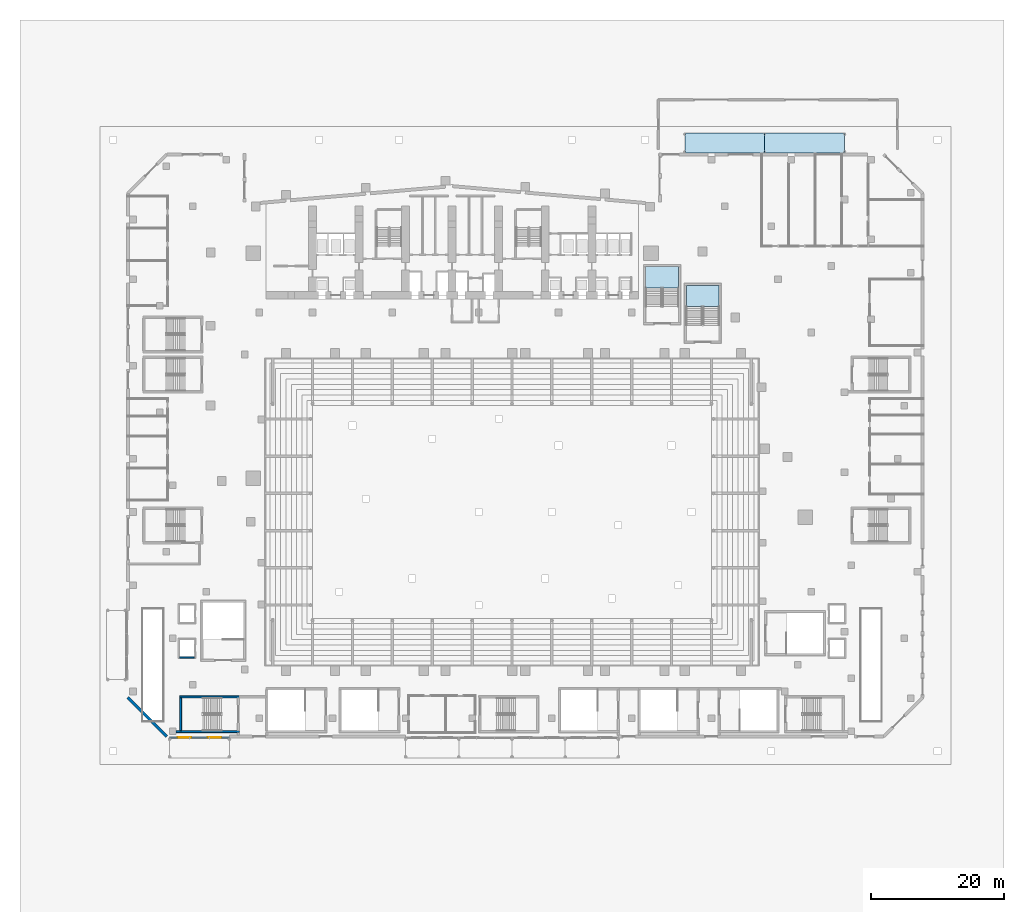
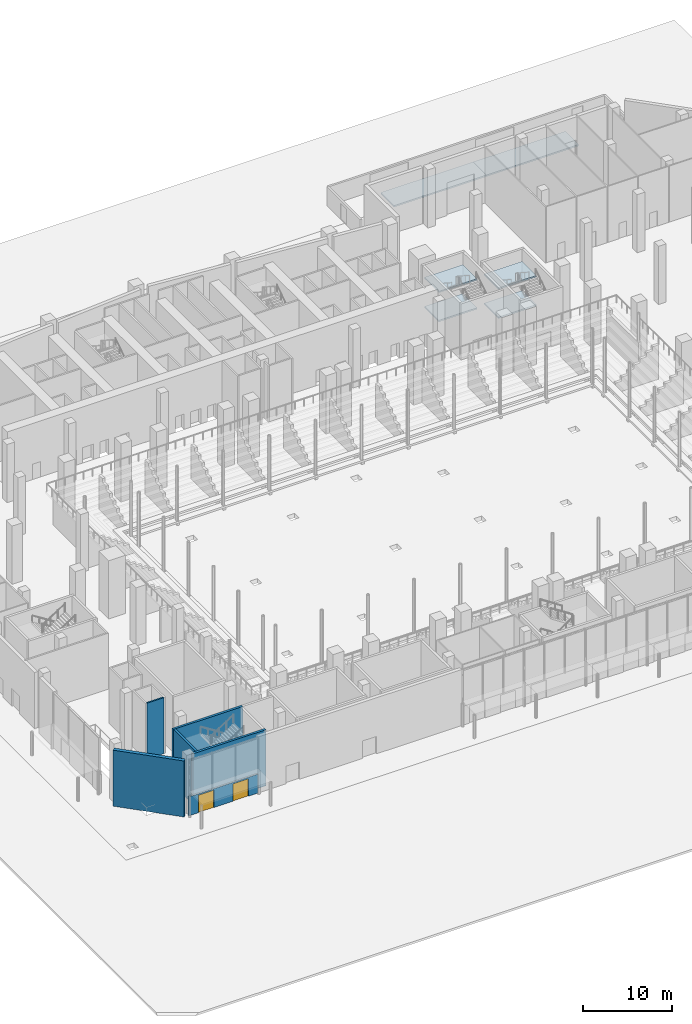
# One storey, part 19 of 41: 6 slabs, 6 walls, 2 doors, 2 openings, 2 elements without a shape of their own.
"""IFC4 building model written with IfcOpenShell, lengths in metres."""

import ifcopenshell
import ifcopenshell.guid

model = None  # the IFC model being written
_history = None  # IfcOwnerHistory: only IFC2X3 demands one
_inside = {}  # id of a spatial element -> (the spatial element, [elements in it])
_under = {}  # id of a project, library or spatial element -> (it, [spatial elements below it])
_declared = {}  # id of a project -> (the project, [libraries it declares])
_typed = {}  # id of a type object -> (the type object, [elements of that type])
_made_of = {}  # id of a material, layer set ... -> (it, [elements and type objects made of it])


def new_model(schema):
    """Start an empty IFC model of exactly this schema.

    Asked for "IFC4X3", IfcOpenShell would pick the latest addendum, in which some entities
    have other attributes; the version numbers below select the first issue.
    IFC2X3 requires an IfcOwnerHistory on every rooted entity: one is made here for all.
    """
    global model, _history
    if schema == "IFC4X3":
        model = ifcopenshell.file(schema_version=(4, 3, 0, 0))
    else:
        model = ifcopenshell.file(schema=schema)
    _inside.clear()
    _under.clear()
    _declared.clear()
    _typed.clear()
    _made_of.clear()
    _history = None
    if model.schema == "IFC2X3":
        org = make("IfcOrganization", Name="unknown")
        user = make(
            "IfcPersonAndOrganization",
            ThePerson=make("IfcPerson", FamilyName="unknown"),
            TheOrganization=org,
        )
        app = make(
            "IfcApplication",
            ApplicationDeveloper=org,
            Version="unknown",
            ApplicationFullName="unknown",
            ApplicationIdentifier="unknown",
        )
        _history = make(
            "IfcOwnerHistory",
            OwningUser=user,
            OwningApplication=app,
            ChangeAction="ADDED",
            CreationDate=0,
        )
    return model


def make(cls, **values):
    """One entity of the class cls with the attributes given. An attribute that is None is left unset."""
    return model.create_entity(
        cls, **{name: value for name, value in values.items() if value is not None}
    )


def rooted(cls, **values):
    """An entity with a GlobalId (a new one), such as an element, a storey or a relation."""
    return make(cls, GlobalId=ifcopenshell.guid.new(), OwnerHistory=_history, **values)


def si_unit(unit_type, name, prefix=None):
    """IfcSIUnit, for example si_unit("LENGTHUNIT", "METRE", prefix="MILLI")."""
    return make("IfcSIUnit", UnitType=unit_type, Prefix=prefix, Name=name)


def assignment(units):
    """IfcUnitAssignment: the units of a project."""
    return None if units is None else make("IfcUnitAssignment", Units=units)


def point(xyz):
    """IfcCartesianPoint."""
    return None if xyz is None else make("IfcCartesianPoint", Coordinates=xyz)


def direction(xyz):
    """IfcDirection."""
    return None if xyz is None else make("IfcDirection", DirectionRatios=xyz)


def frame(location, z_axis=None, x_axis=None):
    """IfcAxis2Placement3D, a coordinate frame: its origin and axes. An axis left out is left unset."""
    return make(
        "IfcAxis2Placement3D",
        Location=point(location),
        Axis=direction(z_axis),
        RefDirection=direction(x_axis),
    )


def frame_2d(location, x_axis=None):
    """IfcAxis2Placement2D, a coordinate frame in the plane: its origin and x axis."""
    return make(
        "IfcAxis2Placement2D", Location=point(location), RefDirection=direction(x_axis)
    )


def origin():
    """The frame at (0, 0, 0) with its axes left unset."""
    return frame((0.0, 0.0, 0.0))


def place(relative_to, where):
    """IfcLocalPlacement: puts the frame where relative to a parent placement (None: the world)."""
    return make(
        "IfcLocalPlacement", PlacementRelTo=relative_to, RelativePlacement=where
    )


def context(
    kind, dimensions, precision=None, world=None, true_north=None, identifier=None
):
    """IfcGeometricRepresentationContext, for example the 3D "Model" context."""
    return make(
        "IfcGeometricRepresentationContext",
        ContextIdentifier=identifier,
        ContextType=kind,
        CoordinateSpaceDimension=dimensions,
        Precision=precision,
        WorldCoordinateSystem=world,
        TrueNorth=true_north,
    )


def subcontext(parent, identifier, kind, view, scale=None):
    """IfcGeometricRepresentationSubContext, for example "Body" below "Model"."""
    return make(
        "IfcGeometricRepresentationSubContext",
        ContextIdentifier=identifier,
        ContextType=kind,
        ParentContext=parent,
        TargetScale=scale,
        TargetView=view,
    )


def project(units=None, contexts=None):
    """IfcProject with its units and contexts."""
    return rooted(
        "IfcProject",
        Name="project",
        RepresentationContexts=contexts,
        UnitsInContext=assignment(units),
    )


def spatial(cls, under=None, at=None, **own):
    """A site, building, storey or space (cls), placed at a placement, below another one or the project."""
    s = rooted(cls, ObjectPlacement=at, **own)
    if under is not None:
        _under.setdefault(under.id(), (under, []))[1].append(s)
    return s


def polyline(points):
    """IfcPolyline through the points."""
    return make("IfcPolyline", Points=[point(p) for p in points])


def profile(cls, at=None, kind="AREA", **sizes):
    """A parametric profile (cls). Its sizes go by their IFC names, for example OverallWidth=200.0."""
    return make(cls, ProfileType=kind, Position=at, **sizes)


def rectangle(**sizes):
    """IfcRectangleProfileDef."""
    return profile("IfcRectangleProfileDef", **sizes)


def outline(outer, holes=None, kind="AREA"):
    """IfcArbitraryClosedProfileDef: a profile drawn as a closed curve; with holes, ...WithVoids."""
    if holes is None:
        return make("IfcArbitraryClosedProfileDef", ProfileType=kind, OuterCurve=outer)
    return make(
        "IfcArbitraryProfileDefWithVoids",
        ProfileType=kind,
        OuterCurve=outer,
        InnerCurves=holes,
    )


def extrude(swept, where, along, depth):
    """IfcExtrudedAreaSolid: the profile swept, set in the frame where, extruded along a direction by depth."""
    return make(
        "IfcExtrudedAreaSolid",
        SweptArea=swept,
        Position=where,
        ExtrudedDirection=direction(along),
        Depth=depth,
    )


def shape(context_of_items, identifier, shape_type, items):
    """IfcShapeRepresentation: the items that make up one representation, for example the "Body"."""
    return make(
        "IfcShapeRepresentation",
        ContextOfItems=context_of_items,
        RepresentationIdentifier=identifier,
        RepresentationType=shape_type,
        Items=items,
    )


def material(Name=None, Category=None):
    """IfcMaterial."""
    return make("IfcMaterial", Name=Name, Category=Category)


def layer(
    of_material, thickness, ventilated=None, Name=None, Category=None, Priority=None
):
    """IfcMaterialLayer: one layer of a wall or slab, of a material (None: an air gap)."""
    return make(
        "IfcMaterialLayer",
        Material=of_material,
        LayerThickness=thickness,
        IsVentilated=ventilated,
        Name=Name,
        Category=Category,
        Priority=Priority,
    )


def layer_set(layers, Name=None):
    """IfcMaterialLayerSet."""
    return make("IfcMaterialLayerSet", MaterialLayers=layers, LayerSetName=Name)


def made_of(thing, what):
    """Note that an element or type object is made of a material, layer set ...; save() writes the relation."""
    if what is not None:
        _made_of.setdefault(what.id(), (what, []))[1].append(thing)
    return thing


def type_object(cls, material=None, **own):
    """A type object (cls), such as IfcWallType, which elements share."""
    return made_of(rooted(cls, **own), material)


def element(
    cls,
    number,
    at=None,
    inside=None,
    cuts=None,
    type_object=None,
    material=None,
    context=None,
    identifier="Body",
    shape_type=None,
    held_by="IfcProductDefinitionShape",
    body=None,
    shapes=None,
    **own,
):
    """One element of the class cls, such as IfcWall. Its Tag is "e" and its number.

    at: its placement. inside: the storey or other place that contains it. cuts: it is an
    opening in that element (IfcRelVoidsElement). A single representation is given by context,
    identifier, shape_type and body (its items); several are given by shapes. held_by: the class
    of the entity that holds the representations. save() writes the other relations.
    """
    e = rooted(cls, Tag="e%d" % number, ObjectPlacement=at, **own)
    if body is not None:
        shapes = [shape(context, identifier, shape_type, body)]
    if shapes is not None:
        e.Representation = make(held_by, Representations=shapes)
    if inside is not None:
        _inside.setdefault(inside.id(), (inside, []))[1].append(e)
    if cuts is not None:
        rooted(
            "IfcRelVoidsElement", RelatingBuildingElement=cuts, RelatedOpeningElement=e
        )
    if type_object is not None:
        _typed.setdefault(type_object.id(), (type_object, []))[1].append(e)
    return made_of(e, material)


def fill(opening, filler):
    """IfcRelFillsElement: the door or window that sits in an opening."""
    return rooted(
        "IfcRelFillsElement",
        RelatingOpeningElement=opening,
        RelatedBuildingElement=filler,
    )


def aggregate(whole, parts):
    """IfcRelAggregates: a whole, such as a stair, and the parts it consists of."""
    return rooted("IfcRelAggregates", RelatingObject=whole, RelatedObjects=parts)


def save(model, path):
    """Write the relations noted so far, then the file.

    IfcRelAggregates (storeys below a building ...), IfcRelContainedInSpatialStructure (elements
    in a storey), IfcRelDefinesByType, IfcRelAssociatesMaterial and IfcRelDeclares: one each for
    every whole, place, type object, material and project.
    """
    for whole, parts in _under.values():
        aggregate(whole, parts)
    for where, things in _inside.values():
        rooted(
            "IfcRelContainedInSpatialStructure",
            RelatedElements=things,
            RelatingStructure=where,
        )
    for kind, things in _typed.values():
        rooted("IfcRelDefinesByType", RelatedObjects=things, RelatingType=kind)
    for what, things in _made_of.values():
        rooted("IfcRelAssociatesMaterial", RelatedObjects=things, RelatingMaterial=what)
    for by, libraries in _declared.values():
        rooted("IfcRelDeclares", RelatingContext=by, RelatedDefinitions=libraries)
    model.write(path)


model = new_model("IFC4")

# Units and contexts
model_context = context("Model", 3, precision=1e-05, world=origin(), true_north=direction((0.0, 1.0)))
body_context = subcontext(model_context, "Body", "Model", "MODEL_VIEW")
ifc_project = project(units=[si_unit("LENGTHUNIT", "METRE"), si_unit("AREAUNIT", "SQUARE_METRE"), si_unit("VOLUMEUNIT", "CUBIC_METRE"), si_unit("PLANEANGLEUNIT", "RADIAN"), si_unit("MASSUNIT", "GRAM", prefix="KILO")], contexts=[model_context])

# Site, building, storey
site_placement = place(None, origin())
site = spatial("IfcSite", under=ifc_project, at=site_placement, CompositionType="ELEMENT")
building_placement = place(site_placement, origin())
building = spatial("IfcBuilding", under=site, at=building_placement, Name="Wharfspan Tower", CompositionType="ELEMENT")
storey_placement = place(building_placement, origin())
storey = spatial("IfcBuildingStorey", under=building, at=storey_placement, Name="L00", CompositionType="ELEMENT", Elevation=0.0)

# Slabs
ifc_material_1 = material(Name="Concrete C40/50", Category="concrete")
ifc_layer_1 = layer(ifc_material_1, 0.199951)
ifc_layer_set_1 = layer_set([ifc_layer_1], Name="Concrete C40/50")
slab_type_1 = type_object("IfcSlabType", Name="ENTRANCE CANOPY 200", PredefinedType="ROOF", material=ifc_layer_set_1)
slab_1_placement = place(storey_placement, frame((0.0, 0.0, 3.199707)))
element("IfcSlab", 1, at=slab_1_placement, inside=storey, type_object=slab_type_1, Name="Entrance canopy", PredefinedType="ROOF", context=body_context, shape_type="SweptSolid", body=[
    extrude(outline(polyline([(84.0, 56.0), (72.0, 56.0), (72.0, 59.0), (84.0, 59.0), (84.0, 56.0)])), origin(), (0.0, 0.0, 1.0), 0.200195),
])
slab_2_placement = place(storey_placement, frame((0.0, 0.0, 3.199707)))
element("IfcSlab", 2, at=slab_2_placement, inside=storey, type_object=slab_type_1, Name="Entrance canopy", PredefinedType="ROOF", context=body_context, shape_type="SweptSolid", body=[
    extrude(outline(polyline([(96.0, 56.0), (84.0, 56.0), (84.0, 59.0), (96.0, 59.0), (96.0, 56.0)])), origin(), (0.0, 0.0, 1.0), 0.200195),
])

# Stair, slabs
stair_type = type_object("IfcStairType", Name="Half-turn stair 2400 wide 44 risers 182 mm", PredefinedType="HALF_TURN_STAIR", material=ifc_material_1)
stair_1_placement = place(storey_placement, origin())
stair_1 = element("IfcStair", 3, at=stair_1_placement, inside=storey, type_object=stair_type, Name="L00 stair PS4", PredefinedType="HALF_TURN_STAIR")
ifc_layer_2 = layer(ifc_material_1, 0.199951)
ifc_layer_set_2 = layer_set([ifc_layer_2], Name="Concrete C40/50")
slab_type_2 = type_object("IfcSlabType", Name="Podium stair landing 200", PredefinedType="LANDING", material=ifc_layer_set_2)
slab_3_placement = place(storey_placement, frame((0.0, 0.0, 1.799805)))
slab_3 = element("IfcSlab", 4, at=slab_3_placement, type_object=slab_type_2, Name="PS4 landing 1", PredefinedType="LANDING", context=body_context, shape_type="SweptSolid", body=[
    extrude(outline(polyline([(71.050049, 35.699951), (71.050049, 38.899902), (66.100098, 38.899902), (66.100098, 35.699951), (71.050049, 35.699951)])), origin(), (0.0, 0.0, 1.0), 0.200195),
])
slab_4_placement = place(storey_placement, frame((0.0, 0.0, 5.799805)))
slab_4 = element("IfcSlab", 5, at=slab_4_placement, type_object=slab_type_2, Name="PS4 landing 3", PredefinedType="LANDING", context=body_context, shape_type="SweptSolid", body=[
    extrude(outline(polyline([(71.050049, 35.699951), (71.050049, 38.899902), (66.100098, 38.899902), (66.100098, 35.699951), (71.050049, 35.699951)])), origin(), (0.0, 0.0, 1.0), 0.200195),
])
aggregate(stair_1, [slab_3, slab_4])

stair_2_placement = place(storey_placement, origin())
stair_2 = element("IfcStair", 6, at=stair_2_placement, inside=storey, type_object=stair_type, Name="L00 stair PS5", PredefinedType="HALF_TURN_STAIR")
slab_5_placement = place(storey_placement, frame((0.0, 0.0, 1.799805)))
slab_5 = element("IfcSlab", 7, at=slab_5_placement, type_object=slab_type_2, Name="PS5 landing 1", PredefinedType="LANDING", context=body_context, shape_type="SweptSolid", body=[
    extrude(outline(polyline([(77.16748, 32.899902), (77.16748, 36.100098), (72.217529, 36.100098), (72.217529, 32.899902), (77.16748, 32.899902)])), origin(), (0.0, 0.0, 1.0), 0.200195),
])
slab_6_placement = place(storey_placement, frame((0.0, 0.0, 5.799805)))
slab_6 = element("IfcSlab", 8, at=slab_6_placement, type_object=slab_type_2, Name="PS5 landing 3", PredefinedType="LANDING", context=body_context, shape_type="SweptSolid", body=[
    extrude(outline(polyline([(77.16748, 32.899902), (77.16748, 36.100098), (72.217529, 36.100098), (72.217529, 32.899902), (77.16748, 32.899902)])), origin(), (0.0, 0.0, 1.0), 0.200195),
])
aggregate(stair_2, [slab_5, slab_6])

# Wall, openings, doors
ifc_material_2 = material(Name="Glass fibre reinforced concrete C40/50", Category="concrete")
ifc_layer_3 = layer(ifc_material_2, 0.199951)
ifc_layer_set_3 = layer_set([ifc_layer_3], Name="Glass fibre reinforced concrete C40/50")
wall_type_1 = type_object("IfcWallType", Name="ENTRANCE INFILL WALL 200", PredefinedType="SOLIDWALL", material=ifc_layer_set_3)
wall_1_placement = place(storey_placement, frame((-5.5, -31.899902, 0.0), z_axis=(0.0, 0.0, 1.0), x_axis=(1.0, 0.0, 0.0)))
wall_1 = element("IfcWall", 9, at=wall_1_placement, inside=storey, type_object=wall_type_1, Name="Entrance infill wall", PredefinedType="SOLIDWALL", context=body_context, shape_type="SweptSolid", body=[
    extrude(rectangle(XDim=9.0, YDim=0.199951, at=frame_2d((4.5, 0.0))), origin(), (0.0, 0.0, 1.0), 2.600098),
])
opening_1_placement = place(wall_1_placement, frame((1.25, 0.0, 0.0)))
opening_1 = element("IfcOpeningElement", 10, at=opening_1_placement, cuts=wall_1, Name="Opening ED1", PredefinedType="OPENING", context=body_context, shape_type="SweptSolid", body=[
    extrude(rectangle(XDim=2.0, YDim=2.399902, at=frame_2d((1.0, 1.199951))), frame((0.0, 0.109863, 0.0), z_axis=(0.0, -1.0, 0.0), x_axis=(1.0, 0.0, 0.0)), (0.0, 0.0, 1.0), 0.219971),
])
opening_2_placement = place(wall_1_placement, frame((5.75, 0.0, 0.0)))
opening_2 = element("IfcOpeningElement", 11, at=opening_2_placement, cuts=wall_1, Name="Opening ED1", PredefinedType="OPENING", context=body_context, shape_type="SweptSolid", body=[
    extrude(rectangle(XDim=2.0, YDim=2.399902, at=frame_2d((1.0, 1.199951))), frame((0.0, 0.109863, 0.0), z_axis=(0.0, -1.0, 0.0), x_axis=(1.0, 0.0, 0.0)), (0.0, 0.0, 1.0), 0.219971),
])
ifc_material_3 = material(Name="Aluminium 6063-T6", Category="aluminium")
door_type = type_object("IfcDoorType", Name="ENTRANCE DOOR DOUBLE 2000x2400", OperationType="DOUBLE_DOOR_DOUBLE_SWING", PredefinedType="DOOR", material=ifc_material_3)
door_1_placement = place(opening_1_placement, origin())
door_1 = element("IfcDoor", 12, at=door_1_placement, inside=storey, type_object=door_type, Name="Entrance door", OperationType="DOUBLE_DOOR_DOUBLE_SWING", OverallHeight=2.399902, OverallWidth=2.0, PredefinedType="DOOR", context=body_context, shape_type="SweptSolid", body=[
    extrude(rectangle(XDim=2.0, YDim=2.399902, at=frame_2d((1.0, 1.199951))), frame((0.0, 0.024902, 0.0), z_axis=(0.0, -1.0, 0.0), x_axis=(1.0, 0.0, 0.0)), (0.0, 0.0, 1.0), 0.050049),
])
fill(opening_1, door_1)
door_2_placement = place(opening_2_placement, origin())
door_2 = element("IfcDoor", 13, at=door_2_placement, inside=storey, type_object=door_type, Name="Entrance door", OperationType="DOUBLE_DOOR_DOUBLE_SWING", OverallHeight=2.399902, OverallWidth=2.0, PredefinedType="DOOR", context=body_context, shape_type="SweptSolid", body=[
    extrude(rectangle(XDim=2.0, YDim=2.399902, at=frame_2d((1.0, 1.199951))), frame((0.0, 0.024902, 0.0), z_axis=(0.0, -1.0, 0.0), x_axis=(1.0, 0.0, 0.0)), (0.0, 0.0, 1.0), 0.050049),
])
fill(opening_2, door_2)

# Walls
ifc_material_4 = material(Name="Concrete C30/37", Category="concrete")
ifc_layer_4 = layer(ifc_material_4, 0.199951)
ifc_layer_set_4 = layer_set([ifc_layer_4], Name="Concrete C30/37")
wall_type_2 = type_object("IfcWallType", Name="Podium shaft wall 200", PredefinedType="PARTITIONING", material=ifc_layer_set_4)
wall_2_placement = place(storey_placement, frame((-4.0, -19.899902, 0.0), z_axis=(0.0, 0.0, 1.0), x_axis=(1.0, 0.0, 0.0)))
element("IfcWall", 14, at=wall_2_placement, inside=storey, type_object=wall_type_2, Name="pl:LP1:L00:S", PredefinedType="PARTITIONING", context=body_context, shape_type="SweptSolid", body=[
    extrude(rectangle(XDim=2.199951, YDim=0.199951, at=frame_2d((1.100098, 0.0))), origin(), (0.0, 0.0, 1.0), 7.699951),
])
ifc_layer_5 = layer(ifc_material_1, 0.300049)
ifc_layer_set_5 = layer_set([ifc_layer_5], Name="Concrete C40/50")
wall_type_3 = type_object("IfcWallType", Name="Podium stair core wall 300", PredefinedType="SHEAR", material=ifc_layer_set_5)
wall_3_placement = place(storey_placement, frame((-4.5, -31.050049, 0.0), z_axis=(0.0, 0.0, 1.0), x_axis=(1.0, 0.0, 0.0)))
element("IfcWall", 15, at=wall_3_placement, inside=storey, type_object=wall_type_3, Name="iw:L00:AS1S", PredefinedType="SHEAR", context=body_context, shape_type="SweptSolid", body=[
    extrude(rectangle(XDim=9.5, YDim=0.300049, at=frame_2d((4.75, 0.0))), origin(), (0.0, 0.0, 1.0), 7.699951),
])
wall_4_placement = place(storey_placement, frame((-4.0, -25.800049, 0.0), z_axis=(0.0, 0.0, 1.0), x_axis=(1.0, 0.0, 0.0)))
element("IfcWall", 16, at=wall_4_placement, inside=storey, type_object=wall_type_3, Name="iw:L00:AS1N", PredefinedType="SHEAR", context=body_context, shape_type="SweptSolid", body=[
    extrude(rectangle(XDim=9.0, YDim=0.300049, at=frame_2d((4.5, 0.0))), origin(), (0.0, 0.0, 1.0), 7.699951),
])
wall_5_placement = place(storey_placement, frame((-3.850098, -30.899902, 0.0), z_axis=(0.0, 0.0, 1.0), x_axis=(0.0, 1.0, 0.0)))
element("IfcWall", 17, at=wall_5_placement, inside=storey, type_object=wall_type_3, Name="iw:L00:AS1W", PredefinedType="SHEAR", context=body_context, shape_type="SweptSolid", body=[
    extrude(rectangle(XDim=4.949951, YDim=0.300049, at=frame_2d((2.475098, 0.0))), origin(), (0.0, 0.0, 1.0), 7.699951),
])
ifc_layer_6 = layer(ifc_material_1, 0.449951)
ifc_layer_set_6 = layer_set([ifc_layer_6], Name="Concrete C40/50")
wall_type_4 = type_object("IfcWallType", Name="WALL BOARD-MARKED CONCRETE 450", PredefinedType="SOLIDWALL", material=ifc_layer_set_6)
wall_6_placement = place(storey_placement, frame((-11.770264, -25.911621, 0.0), z_axis=(0.0, 0.0, 1.0), x_axis=(0.707107, -0.707107, 0.0)))
element("IfcWall", 18, at=wall_6_placement, inside=storey, type_object=wall_type_4, Name="Podium wall PF13", PredefinedType="SOLIDWALL", context=body_context, shape_type="SweptSolid", body=[
    extrude(rectangle(XDim=8.2854, YDim=0.449951, at=frame_2d((4.142578, 0.0))), origin(), (0.0, 0.0, 1.0), 7.699951),
])

save(model, "model.ifc")
